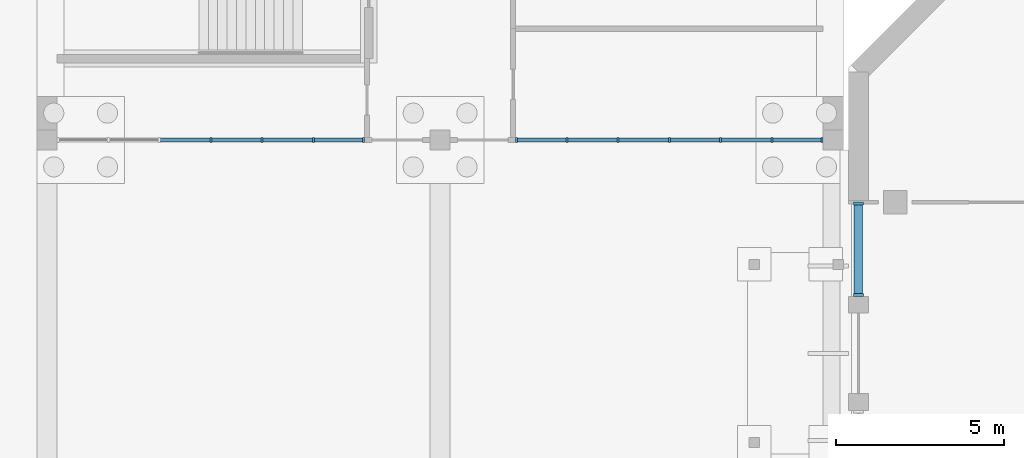
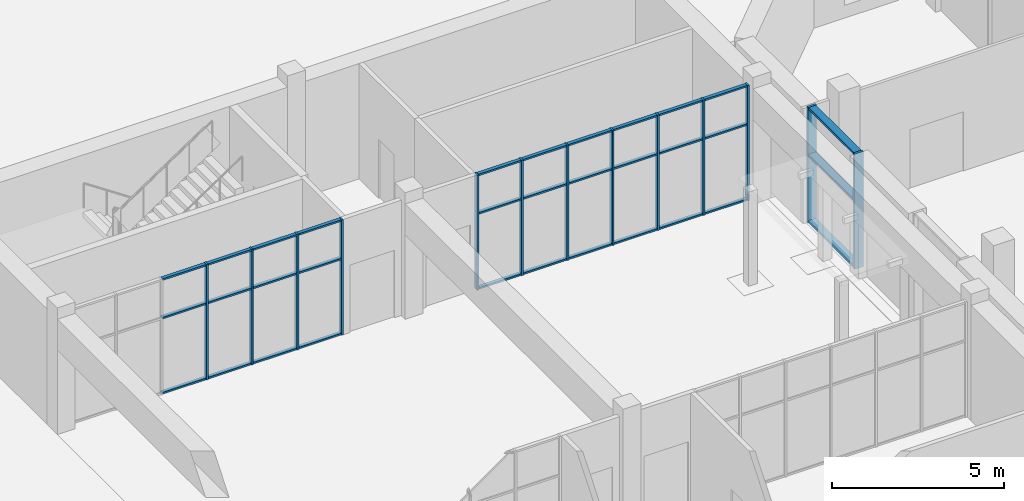
# One storey, part 12 of 42: 46 members, 3 elements without a shape of their own.
"""IFC4 building model written with IfcOpenShell, lengths in metres."""

from ifc_helpers import new_model, si_unit, direction, frame, origin, origin_2d, place, context, subcontext, project, spatial, rectangle, extrude, material, material_profile, profile_set, type_object, element, aggregate, save


model = new_model("IFC4")

# Units and contexts
model_context = context("Model", 3, precision=1e-05, world=origin(), true_north=direction((0.0, 1.0)))
body_context = subcontext(model_context, "Body", "Model", "MODEL_VIEW")
ifc_project = project(units=[si_unit("LENGTHUNIT", "METRE"), si_unit("AREAUNIT", "SQUARE_METRE"), si_unit("VOLUMEUNIT", "CUBIC_METRE"), si_unit("PLANEANGLEUNIT", "RADIAN"), si_unit("MASSUNIT", "GRAM", prefix="KILO")], contexts=[model_context])

# Site, building, storey
site_placement = place(None, origin())
site = spatial("IfcSite", under=ifc_project, at=site_placement, CompositionType="ELEMENT")
building_placement = place(site_placement, origin())
building = spatial("IfcBuilding", under=site, at=building_placement, Name="Dilmun Exchange Tower", CompositionType="ELEMENT")
storey_placement = place(building_placement, origin())
storey = spatial("IfcBuildingStorey", under=building, at=storey_placement, Name="L00", CompositionType="ELEMENT", Elevation=0.0)

# Curtain wall, members
ifc_material_1 = material(Name="Anodised aluminium and clear glass", Category="aluminium")
curtain_wall_type_1 = type_object("IfcCurtainWallType", Name="Concourse glazing", PredefinedType="NOTDEFINED", material=ifc_material_1)
curtain_wall_1_placement = place(storey_placement, origin())
curtain_wall_1 = element("IfcCurtainWall", 1, at=curtain_wall_1_placement, inside=storey, type_object=curtain_wall_type_1, Name="Concourse glazing run CG7.2", PredefinedType="NOTDEFINED")
ifc_material_2 = material(Name="Anodised aluminium", Category="aluminium")
ifc_material_profile_1 = material_profile(ifc_material_2, rectangle(XDim=0.300048828125, YDim=0.080078125, at=origin_2d()), Name="AL 80x300")
ifc_profile_set_1 = profile_set([ifc_material_profile_1], Name="Anodised aluminium")
member_type_1 = type_object("IfcMemberType", Name="Concourse glazing mullion 80 x 300", PredefinedType="MULLION", material=ifc_profile_set_1)
member_1_placement = place(storey_placement, frame((-35.699951171875, 26.9599609375, 0.0), z_axis=(0.0, 0.0, 1.0), x_axis=(1.0, 0.0, 0.0)))
member_1 = element("IfcMember", 2, at=member_1_placement, type_object=member_type_1, Name="CG7.2 mullion 1", PredefinedType="MULLION", context=body_context, shape_type="SweptSolid", body=[
    extrude(rectangle(XDim=0.300048828125, YDim=0.080078125, at=origin_2d()), origin(), (0.0, 0.0, 1.0), 4.10009765625),
])
member_2_placement = place(storey_placement, frame((-35.699951171875, 24.239990234375, 0.0), z_axis=(0.0, 0.0, 1.0), x_axis=(1.0, 0.0, 0.0)))
member_2 = element("IfcMember", 3, at=member_2_placement, type_object=member_type_1, Name="CG7.2 mullion 2", PredefinedType="MULLION", context=body_context, shape_type="SweptSolid", body=[
    extrude(rectangle(XDim=0.300048828125, YDim=0.080078125, at=origin_2d()), origin(), (0.0, 0.0, 1.0), 4.10009765625),
])
ifc_material_profile_2 = material_profile(ifc_material_2, rectangle(XDim=0.25, YDim=0.080078125, at=origin_2d()), Name="AL 80x250")
ifc_profile_set_2 = profile_set([ifc_material_profile_2], Name="Anodised aluminium")
member_type_2 = type_object("IfcMemberType", Name="Concourse glazing transom 80 x 250", PredefinedType="USERDEFINED", material=ifc_profile_set_2)
member_3_placement = place(storey_placement, frame((-35.699951171875, 26.919921875, 0.0400390625), z_axis=(0.0, -1.0, 0.0), x_axis=(1.0, 0.0, 0.0)))
member_3 = element("IfcMember", 4, at=member_3_placement, type_object=member_type_2, Name="CG7.2 transom 1.1", ObjectType="TRANSOM", PredefinedType="USERDEFINED", context=body_context, shape_type="SweptSolid", body=[
    extrude(rectangle(XDim=0.25, YDim=0.080078125, at=origin_2d()), origin(), (0.0, 0.0, 1.0), 2.639892578125),
])
member_4_placement = place(storey_placement, frame((-35.699951171875, 26.919921875, 2.39990234375), z_axis=(0.0, -1.0, 0.0), x_axis=(1.0, 0.0, 0.0)))
member_4 = element("IfcMember", 5, at=member_4_placement, type_object=member_type_2, Name="CG7.2 transom 1.2", ObjectType="TRANSOM", PredefinedType="USERDEFINED", context=body_context, shape_type="SweptSolid", body=[
    extrude(rectangle(XDim=0.25, YDim=0.080078125, at=origin_2d()), origin(), (0.0, 0.0, 1.0), 2.639892578125),
])
member_5_placement = place(storey_placement, frame((-35.699951171875, 26.919921875, 4.06005859375), z_axis=(0.0, -1.0, 0.0), x_axis=(1.0, 0.0, 0.0)))
member_5 = element("IfcMember", 6, at=member_5_placement, type_object=member_type_2, Name="CG7.2 transom 1.3", ObjectType="TRANSOM", PredefinedType="USERDEFINED", context=body_context, shape_type="SweptSolid", body=[
    extrude(rectangle(XDim=0.25, YDim=0.080078125, at=origin_2d()), origin(), (0.0, 0.0, 1.0), 2.639892578125),
])
aggregate(curtain_wall_1, [member_1, member_2, member_3, member_4, member_5])

ifc_material_3 = material(Name="Aluminium", Category="aluminium")
curtain_wall_type_2 = type_object("IfcCurtainWallType", Name="School arcade glazing", PredefinedType="NOTDEFINED", material=ifc_material_3)
curtain_wall_2_placement = place(storey_placement, origin())
curtain_wall_2 = element("IfcCurtainWall", 7, at=curtain_wall_2_placement, inside=storey, type_object=curtain_wall_type_2, Name="School arcade glazing", PredefinedType="NOTDEFINED")
ifc_material_profile_3 = material_profile(ifc_material_3, rectangle(XDim=0.159912109375, YDim=0.06005859375, at=origin_2d()), Name="60 x 160")
ifc_profile_set_3 = profile_set([ifc_material_profile_3], Name="Aluminium")
member_type_3 = type_object("IfcMemberType", Name="School arcade glazing mullion 60 x 160", PredefinedType="MULLION", material=ifc_profile_set_3)
member_6_placement = place(storey_placement, frame((-36.780029296875, 28.85009765625, 0.0), z_axis=(0.0, 0.0, 1.0), x_axis=(0.0, -1.0, 0.0)))
member_6 = element("IfcMember", 8, at=member_6_placement, type_object=member_type_3, Name="SCH-CW1 mullion 1", PredefinedType="MULLION", context=body_context, shape_type="SweptSolid", body=[
    extrude(rectangle(XDim=0.159912109375, YDim=0.06005859375, at=origin_2d()), origin(), (0.0, 0.0, 1.0), 4.10009765625),
])
member_7_placement = place(storey_placement, frame((-38.27490234375, 28.85009765625, 0.0), z_axis=(0.0, 0.0, 1.0), x_axis=(0.0, -1.0, 0.0)))
member_7 = element("IfcMember", 9, at=member_7_placement, type_object=member_type_3, Name="SCH-CW1 mullion 2", PredefinedType="MULLION", context=body_context, shape_type="SweptSolid", body=[
    extrude(rectangle(XDim=0.159912109375, YDim=0.06005859375, at=origin_2d()), origin(), (0.0, 0.0, 1.0), 4.10009765625),
])
member_8_placement = place(storey_placement, frame((-39.800048828125, 28.85009765625, 0.0), z_axis=(0.0, 0.0, 1.0), x_axis=(0.0, -1.0, 0.0)))
member_8 = element("IfcMember", 10, at=member_8_placement, type_object=member_type_3, Name="SCH-CW1 mullion 3", PredefinedType="MULLION", context=body_context, shape_type="SweptSolid", body=[
    extrude(rectangle(XDim=0.159912109375, YDim=0.06005859375, at=origin_2d()), origin(), (0.0, 0.0, 1.0), 4.10009765625),
])
member_9_placement = place(storey_placement, frame((-41.324951171875, 28.85009765625, 0.0), z_axis=(0.0, 0.0, 1.0), x_axis=(0.0, -1.0, 0.0)))
member_9 = element("IfcMember", 11, at=member_9_placement, type_object=member_type_3, Name="SCH-CW1 mullion 4", PredefinedType="MULLION", context=body_context, shape_type="SweptSolid", body=[
    extrude(rectangle(XDim=0.159912109375, YDim=0.06005859375, at=origin_2d()), origin(), (0.0, 0.0, 1.0), 4.10009765625),
])
member_10_placement = place(storey_placement, frame((-42.85009765625, 28.85009765625, 0.0), z_axis=(0.0, 0.0, 1.0), x_axis=(0.0, -1.0, 0.0)))
member_10 = element("IfcMember", 12, at=member_10_placement, type_object=member_type_3, Name="SCH-CW1 mullion 5", PredefinedType="MULLION", context=body_context, shape_type="SweptSolid", body=[
    extrude(rectangle(XDim=0.159912109375, YDim=0.06005859375, at=origin_2d()), origin(), (0.0, 0.0, 1.0), 4.10009765625),
])
member_11_placement = place(storey_placement, frame((-44.375, 28.85009765625, 0.0), z_axis=(0.0, 0.0, 1.0), x_axis=(0.0, -1.0, 0.0)))
member_11 = element("IfcMember", 13, at=member_11_placement, type_object=member_type_3, Name="SCH-CW1 mullion 6", PredefinedType="MULLION", context=body_context, shape_type="SweptSolid", body=[
    extrude(rectangle(XDim=0.159912109375, YDim=0.06005859375, at=origin_2d()), origin(), (0.0, 0.0, 1.0), 4.10009765625),
])
member_12_placement = place(storey_placement, frame((-45.8701171875, 28.85009765625, 0.0), z_axis=(0.0, 0.0, 1.0), x_axis=(0.0, -1.0, 0.0)))
member_12 = element("IfcMember", 14, at=member_12_placement, type_object=member_type_3, Name="SCH-CW1 mullion 7", PredefinedType="MULLION", context=body_context, shape_type="SweptSolid", body=[
    extrude(rectangle(XDim=0.159912109375, YDim=0.06005859375, at=origin_2d()), origin(), (0.0, 0.0, 1.0), 4.10009765625),
])

curtain_wall_3_placement = place(storey_placement, origin())
curtain_wall_3 = element("IfcCurtainWall", 15, at=curtain_wall_3_placement, inside=storey, type_object=curtain_wall_type_2, Name="School arcade glazing", PredefinedType="NOTDEFINED")
member_13_placement = place(storey_placement, frame((-50.429931640625, 28.85009765625, 0.0), z_axis=(0.0, 0.0, 1.0), x_axis=(0.0, -1.0, 0.0)))
member_13 = element("IfcMember", 16, at=member_13_placement, type_object=member_type_3, Name="SCH-CW1 mullion 1", PredefinedType="MULLION", context=body_context, shape_type="SweptSolid", body=[
    extrude(rectangle(XDim=0.159912109375, YDim=0.06005859375, at=origin_2d()), origin(), (0.0, 0.0, 1.0), 4.10009765625),
])
member_14_placement = place(storey_placement, frame((-51.925048828125, 28.85009765625, 0.0), z_axis=(0.0, 0.0, 1.0), x_axis=(0.0, -1.0, 0.0)))
member_14 = element("IfcMember", 17, at=member_14_placement, type_object=member_type_3, Name="SCH-CW1 mullion 2", PredefinedType="MULLION", context=body_context, shape_type="SweptSolid", body=[
    extrude(rectangle(XDim=0.159912109375, YDim=0.06005859375, at=origin_2d()), origin(), (0.0, 0.0, 1.0), 4.10009765625),
])
member_15_placement = place(storey_placement, frame((-53.449951171875, 28.85009765625, 0.0), z_axis=(0.0, 0.0, 1.0), x_axis=(0.0, -1.0, 0.0)))
member_15 = element("IfcMember", 18, at=member_15_placement, type_object=member_type_3, Name="SCH-CW1 mullion 3", PredefinedType="MULLION", context=body_context, shape_type="SweptSolid", body=[
    extrude(rectangle(XDim=0.159912109375, YDim=0.06005859375, at=origin_2d()), origin(), (0.0, 0.0, 1.0), 4.10009765625),
])
member_16_placement = place(storey_placement, frame((-54.97509765625, 28.85009765625, 0.0), z_axis=(0.0, 0.0, 1.0), x_axis=(0.0, -1.0, 0.0)))
member_16 = element("IfcMember", 19, at=member_16_placement, type_object=member_type_3, Name="SCH-CW1 mullion 4", PredefinedType="MULLION", context=body_context, shape_type="SweptSolid", body=[
    extrude(rectangle(XDim=0.159912109375, YDim=0.06005859375, at=origin_2d()), origin(), (0.0, 0.0, 1.0), 4.10009765625),
])

# Member
ifc_material_profile_4 = material_profile(ifc_material_3, rectangle(XDim=0.1201171875, YDim=0.06005859375, at=origin_2d()), Name="60 x 120")
ifc_profile_set_4 = profile_set([ifc_material_profile_4], Name="Aluminium")
member_type_4 = type_object("IfcMemberType", Name="School arcade glazing transom 60 x 120", PredefinedType="USERDEFINED", material=ifc_profile_set_4)
member_17_placement = place(storey_placement, frame((-36.81005859375, 28.85009765625, 0.030029296875), z_axis=(-1.0, 0.0, 0.0), x_axis=(0.0, -1.0, 0.0)))
member_17 = element("IfcMember", 20, at=member_17_placement, type_object=member_type_4, Name="SCH-CW1 transom 1.1", ObjectType="TRANSOM", PredefinedType="USERDEFINED", context=body_context, shape_type="SweptSolid", body=[
    extrude(rectangle(XDim=0.1201171875, YDim=0.06005859375, at=origin_2d()), origin(), (0.0, 0.0, 1.0), 1.43505859375),
])

member_18_placement = place(storey_placement, frame((-36.81005859375, 28.85009765625, 2.699951171875), z_axis=(-1.0, 0.0, 0.0), x_axis=(0.0, -1.0, 0.0)))
member_18 = element("IfcMember", 21, at=member_18_placement, type_object=member_type_4, Name="SCH-CW1 transom 1.2", ObjectType="TRANSOM", PredefinedType="USERDEFINED", context=body_context, shape_type="SweptSolid", body=[
    extrude(rectangle(XDim=0.1201171875, YDim=0.06005859375, at=origin_2d()), origin(), (0.0, 0.0, 1.0), 1.43505859375),
])

member_19_placement = place(storey_placement, frame((-36.81005859375, 28.85009765625, 4.070068359375), z_axis=(-1.0, 0.0, 0.0), x_axis=(0.0, -1.0, 0.0)))
member_19 = element("IfcMember", 22, at=member_19_placement, type_object=member_type_4, Name="SCH-CW1 transom 1.3", ObjectType="TRANSOM", PredefinedType="USERDEFINED", context=body_context, shape_type="SweptSolid", body=[
    extrude(rectangle(XDim=0.1201171875, YDim=0.06005859375, at=origin_2d()), origin(), (0.0, 0.0, 1.0), 1.43505859375),
])

member_20_placement = place(storey_placement, frame((-38.304931640625, 28.85009765625, 0.030029296875), z_axis=(-1.0, 0.0, 0.0), x_axis=(0.0, -1.0, 0.0)))
member_20 = element("IfcMember", 23, at=member_20_placement, type_object=member_type_4, Name="SCH-CW1 transom 2.1", ObjectType="TRANSOM", PredefinedType="USERDEFINED", context=body_context, shape_type="SweptSolid", body=[
    extrude(rectangle(XDim=0.1201171875, YDim=0.06005859375, at=origin_2d()), origin(), (0.0, 0.0, 1.0), 1.465087890625),
])

member_21_placement = place(storey_placement, frame((-38.304931640625, 28.85009765625, 2.699951171875), z_axis=(-1.0, 0.0, 0.0), x_axis=(0.0, -1.0, 0.0)))
member_21 = element("IfcMember", 24, at=member_21_placement, type_object=member_type_4, Name="SCH-CW1 transom 2.2", ObjectType="TRANSOM", PredefinedType="USERDEFINED", context=body_context, shape_type="SweptSolid", body=[
    extrude(rectangle(XDim=0.1201171875, YDim=0.06005859375, at=origin_2d()), origin(), (0.0, 0.0, 1.0), 1.465087890625),
])

member_22_placement = place(storey_placement, frame((-38.304931640625, 28.85009765625, 4.070068359375), z_axis=(-1.0, 0.0, 0.0), x_axis=(0.0, -1.0, 0.0)))
member_22 = element("IfcMember", 25, at=member_22_placement, type_object=member_type_4, Name="SCH-CW1 transom 2.3", ObjectType="TRANSOM", PredefinedType="USERDEFINED", context=body_context, shape_type="SweptSolid", body=[
    extrude(rectangle(XDim=0.1201171875, YDim=0.06005859375, at=origin_2d()), origin(), (0.0, 0.0, 1.0), 1.465087890625),
])

member_23_placement = place(storey_placement, frame((-39.830078125, 28.85009765625, 0.030029296875), z_axis=(-1.0, 0.0, 0.0), x_axis=(0.0, -1.0, 0.0)))
member_23 = element("IfcMember", 26, at=member_23_placement, type_object=member_type_4, Name="SCH-CW1 transom 3.1", ObjectType="TRANSOM", PredefinedType="USERDEFINED", context=body_context, shape_type="SweptSolid", body=[
    extrude(rectangle(XDim=0.1201171875, YDim=0.06005859375, at=origin_2d()), origin(), (0.0, 0.0, 1.0), 1.46484375),
])

member_24_placement = place(storey_placement, frame((-39.830078125, 28.85009765625, 2.699951171875), z_axis=(-1.0, 0.0, 0.0), x_axis=(0.0, -1.0, 0.0)))
member_24 = element("IfcMember", 27, at=member_24_placement, type_object=member_type_4, Name="SCH-CW1 transom 3.2", ObjectType="TRANSOM", PredefinedType="USERDEFINED", context=body_context, shape_type="SweptSolid", body=[
    extrude(rectangle(XDim=0.1201171875, YDim=0.06005859375, at=origin_2d()), origin(), (0.0, 0.0, 1.0), 1.46484375),
])

member_25_placement = place(storey_placement, frame((-39.830078125, 28.85009765625, 4.070068359375), z_axis=(-1.0, 0.0, 0.0), x_axis=(0.0, -1.0, 0.0)))
member_25 = element("IfcMember", 28, at=member_25_placement, type_object=member_type_4, Name="SCH-CW1 transom 3.3", ObjectType="TRANSOM", PredefinedType="USERDEFINED", context=body_context, shape_type="SweptSolid", body=[
    extrude(rectangle(XDim=0.1201171875, YDim=0.06005859375, at=origin_2d()), origin(), (0.0, 0.0, 1.0), 1.46484375),
])

member_26_placement = place(storey_placement, frame((-41.35498046875, 28.85009765625, 0.030029296875), z_axis=(-1.0, 0.0, 0.0), x_axis=(0.0, -1.0, 0.0)))
member_26 = element("IfcMember", 29, at=member_26_placement, type_object=member_type_4, Name="SCH-CW1 transom 4.1", ObjectType="TRANSOM", PredefinedType="USERDEFINED", context=body_context, shape_type="SweptSolid", body=[
    extrude(rectangle(XDim=0.1201171875, YDim=0.06005859375, at=origin_2d()), origin(), (0.0, 0.0, 1.0), 1.465087890625),
])

member_27_placement = place(storey_placement, frame((-41.35498046875, 28.85009765625, 2.699951171875), z_axis=(-1.0, 0.0, 0.0), x_axis=(0.0, -1.0, 0.0)))
member_27 = element("IfcMember", 30, at=member_27_placement, type_object=member_type_4, Name="SCH-CW1 transom 4.2", ObjectType="TRANSOM", PredefinedType="USERDEFINED", context=body_context, shape_type="SweptSolid", body=[
    extrude(rectangle(XDim=0.1201171875, YDim=0.06005859375, at=origin_2d()), origin(), (0.0, 0.0, 1.0), 1.465087890625),
])

member_28_placement = place(storey_placement, frame((-41.35498046875, 28.85009765625, 4.070068359375), z_axis=(-1.0, 0.0, 0.0), x_axis=(0.0, -1.0, 0.0)))
member_28 = element("IfcMember", 31, at=member_28_placement, type_object=member_type_4, Name="SCH-CW1 transom 4.3", ObjectType="TRANSOM", PredefinedType="USERDEFINED", context=body_context, shape_type="SweptSolid", body=[
    extrude(rectangle(XDim=0.1201171875, YDim=0.06005859375, at=origin_2d()), origin(), (0.0, 0.0, 1.0), 1.465087890625),
])

member_29_placement = place(storey_placement, frame((-42.8798828125, 28.85009765625, 0.030029296875), z_axis=(-1.0, 0.0, 0.0), x_axis=(0.0, -1.0, 0.0)))
member_29 = element("IfcMember", 32, at=member_29_placement, type_object=member_type_4, Name="SCH-CW1 transom 5.1", ObjectType="TRANSOM", PredefinedType="USERDEFINED", context=body_context, shape_type="SweptSolid", body=[
    extrude(rectangle(XDim=0.1201171875, YDim=0.06005859375, at=origin_2d()), origin(), (0.0, 0.0, 1.0), 1.465087890625),
])

member_30_placement = place(storey_placement, frame((-42.8798828125, 28.85009765625, 2.699951171875), z_axis=(-1.0, 0.0, 0.0), x_axis=(0.0, -1.0, 0.0)))
member_30 = element("IfcMember", 33, at=member_30_placement, type_object=member_type_4, Name="SCH-CW1 transom 5.2", ObjectType="TRANSOM", PredefinedType="USERDEFINED", context=body_context, shape_type="SweptSolid", body=[
    extrude(rectangle(XDim=0.1201171875, YDim=0.06005859375, at=origin_2d()), origin(), (0.0, 0.0, 1.0), 1.465087890625),
])

member_31_placement = place(storey_placement, frame((-42.8798828125, 28.85009765625, 4.070068359375), z_axis=(-1.0, 0.0, 0.0), x_axis=(0.0, -1.0, 0.0)))
member_31 = element("IfcMember", 34, at=member_31_placement, type_object=member_type_4, Name="SCH-CW1 transom 5.3", ObjectType="TRANSOM", PredefinedType="USERDEFINED", context=body_context, shape_type="SweptSolid", body=[
    extrude(rectangle(XDim=0.1201171875, YDim=0.06005859375, at=origin_2d()), origin(), (0.0, 0.0, 1.0), 1.465087890625),
])

member_32_placement = place(storey_placement, frame((-44.405029296875, 28.85009765625, 0.030029296875), z_axis=(-1.0, 0.0, 0.0), x_axis=(0.0, -1.0, 0.0)))
member_32 = element("IfcMember", 35, at=member_32_placement, type_object=member_type_4, Name="SCH-CW1 transom 6.1", ObjectType="TRANSOM", PredefinedType="USERDEFINED", context=body_context, shape_type="SweptSolid", body=[
    extrude(rectangle(XDim=0.1201171875, YDim=0.06005859375, at=origin_2d()), origin(), (0.0, 0.0, 1.0), 1.43505859375),
])

member_33_placement = place(storey_placement, frame((-44.405029296875, 28.85009765625, 2.699951171875), z_axis=(-1.0, 0.0, 0.0), x_axis=(0.0, -1.0, 0.0)))
member_33 = element("IfcMember", 36, at=member_33_placement, type_object=member_type_4, Name="SCH-CW1 transom 6.2", ObjectType="TRANSOM", PredefinedType="USERDEFINED", context=body_context, shape_type="SweptSolid", body=[
    extrude(rectangle(XDim=0.1201171875, YDim=0.06005859375, at=origin_2d()), origin(), (0.0, 0.0, 1.0), 1.43505859375),
])

member_34_placement = place(storey_placement, frame((-44.405029296875, 28.85009765625, 4.070068359375), z_axis=(-1.0, 0.0, 0.0), x_axis=(0.0, -1.0, 0.0)))
member_34 = element("IfcMember", 37, at=member_34_placement, type_object=member_type_4, Name="SCH-CW1 transom 6.3", ObjectType="TRANSOM", PredefinedType="USERDEFINED", context=body_context, shape_type="SweptSolid", body=[
    extrude(rectangle(XDim=0.1201171875, YDim=0.06005859375, at=origin_2d()), origin(), (0.0, 0.0, 1.0), 1.43505859375),
])

aggregate(curtain_wall_2, [member_6, member_7, member_8, member_9, member_10, member_11, member_12, member_17, member_18, member_19, member_20, member_21, member_22, member_23, member_24, member_25, member_26, member_27, member_28, member_29, member_30, member_31, member_32, member_33, member_34])

member_35_placement = place(storey_placement, frame((-50.4599609375, 28.85009765625, 0.030029296875), z_axis=(-1.0, 0.0, 0.0), x_axis=(0.0, -1.0, 0.0)))
member_35 = element("IfcMember", 38, at=member_35_placement, type_object=member_type_4, Name="SCH-CW1 transom 1.1", ObjectType="TRANSOM", PredefinedType="USERDEFINED", context=body_context, shape_type="SweptSolid", body=[
    extrude(rectangle(XDim=0.1201171875, YDim=0.06005859375, at=origin_2d()), origin(), (0.0, 0.0, 1.0), 1.43505859375),
])

member_36_placement = place(storey_placement, frame((-50.4599609375, 28.85009765625, 2.699951171875), z_axis=(-1.0, 0.0, 0.0), x_axis=(0.0, -1.0, 0.0)))
member_36 = element("IfcMember", 39, at=member_36_placement, type_object=member_type_4, Name="SCH-CW1 transom 1.2", ObjectType="TRANSOM", PredefinedType="USERDEFINED", context=body_context, shape_type="SweptSolid", body=[
    extrude(rectangle(XDim=0.1201171875, YDim=0.06005859375, at=origin_2d()), origin(), (0.0, 0.0, 1.0), 1.43505859375),
])

member_37_placement = place(storey_placement, frame((-50.4599609375, 28.85009765625, 4.070068359375), z_axis=(-1.0, 0.0, 0.0), x_axis=(0.0, -1.0, 0.0)))
member_37 = element("IfcMember", 40, at=member_37_placement, type_object=member_type_4, Name="SCH-CW1 transom 1.3", ObjectType="TRANSOM", PredefinedType="USERDEFINED", context=body_context, shape_type="SweptSolid", body=[
    extrude(rectangle(XDim=0.1201171875, YDim=0.06005859375, at=origin_2d()), origin(), (0.0, 0.0, 1.0), 1.43505859375),
])

member_38_placement = place(storey_placement, frame((-51.955078125, 28.85009765625, 0.030029296875), z_axis=(-1.0, 0.0, 0.0), x_axis=(0.0, -1.0, 0.0)))
member_38 = element("IfcMember", 41, at=member_38_placement, type_object=member_type_4, Name="SCH-CW1 transom 2.1", ObjectType="TRANSOM", PredefinedType="USERDEFINED", context=body_context, shape_type="SweptSolid", body=[
    extrude(rectangle(XDim=0.1201171875, YDim=0.06005859375, at=origin_2d()), origin(), (0.0, 0.0, 1.0), 1.46484375),
])

member_39_placement = place(storey_placement, frame((-51.955078125, 28.85009765625, 2.699951171875), z_axis=(-1.0, 0.0, 0.0), x_axis=(0.0, -1.0, 0.0)))
member_39 = element("IfcMember", 42, at=member_39_placement, type_object=member_type_4, Name="SCH-CW1 transom 2.2", ObjectType="TRANSOM", PredefinedType="USERDEFINED", context=body_context, shape_type="SweptSolid", body=[
    extrude(rectangle(XDim=0.1201171875, YDim=0.06005859375, at=origin_2d()), origin(), (0.0, 0.0, 1.0), 1.46484375),
])

member_40_placement = place(storey_placement, frame((-51.955078125, 28.85009765625, 4.070068359375), z_axis=(-1.0, 0.0, 0.0), x_axis=(0.0, -1.0, 0.0)))
member_40 = element("IfcMember", 43, at=member_40_placement, type_object=member_type_4, Name="SCH-CW1 transom 2.3", ObjectType="TRANSOM", PredefinedType="USERDEFINED", context=body_context, shape_type="SweptSolid", body=[
    extrude(rectangle(XDim=0.1201171875, YDim=0.06005859375, at=origin_2d()), origin(), (0.0, 0.0, 1.0), 1.46484375),
])

member_41_placement = place(storey_placement, frame((-53.47998046875, 28.85009765625, 0.030029296875), z_axis=(-1.0, 0.0, 0.0), x_axis=(0.0, -1.0, 0.0)))
member_41 = element("IfcMember", 44, at=member_41_placement, type_object=member_type_4, Name="SCH-CW1 transom 3.1", ObjectType="TRANSOM", PredefinedType="USERDEFINED", context=body_context, shape_type="SweptSolid", body=[
    extrude(rectangle(XDim=0.1201171875, YDim=0.06005859375, at=origin_2d()), origin(), (0.0, 0.0, 1.0), 1.465087890625),
])

member_42_placement = place(storey_placement, frame((-53.47998046875, 28.85009765625, 2.699951171875), z_axis=(-1.0, 0.0, 0.0), x_axis=(0.0, -1.0, 0.0)))
member_42 = element("IfcMember", 45, at=member_42_placement, type_object=member_type_4, Name="SCH-CW1 transom 3.2", ObjectType="TRANSOM", PredefinedType="USERDEFINED", context=body_context, shape_type="SweptSolid", body=[
    extrude(rectangle(XDim=0.1201171875, YDim=0.06005859375, at=origin_2d()), origin(), (0.0, 0.0, 1.0), 1.465087890625),
])

member_43_placement = place(storey_placement, frame((-53.47998046875, 28.85009765625, 4.070068359375), z_axis=(-1.0, 0.0, 0.0), x_axis=(0.0, -1.0, 0.0)))
member_43 = element("IfcMember", 46, at=member_43_placement, type_object=member_type_4, Name="SCH-CW1 transom 3.3", ObjectType="TRANSOM", PredefinedType="USERDEFINED", context=body_context, shape_type="SweptSolid", body=[
    extrude(rectangle(XDim=0.1201171875, YDim=0.06005859375, at=origin_2d()), origin(), (0.0, 0.0, 1.0), 1.465087890625),
])

member_44_placement = place(storey_placement, frame((-55.0048828125, 28.85009765625, 0.030029296875), z_axis=(-1.0, 0.0, 0.0), x_axis=(0.0, -1.0, 0.0)))
member_44 = element("IfcMember", 47, at=member_44_placement, type_object=member_type_4, Name="SCH-CW1 transom 4.1", ObjectType="TRANSOM", PredefinedType="USERDEFINED", context=body_context, shape_type="SweptSolid", body=[
    extrude(rectangle(XDim=0.1201171875, YDim=0.06005859375, at=origin_2d()), origin(), (0.0, 0.0, 1.0), 1.465087890625),
])

member_45_placement = place(storey_placement, frame((-55.0048828125, 28.85009765625, 2.699951171875), z_axis=(-1.0, 0.0, 0.0), x_axis=(0.0, -1.0, 0.0)))
member_45 = element("IfcMember", 48, at=member_45_placement, type_object=member_type_4, Name="SCH-CW1 transom 4.2", ObjectType="TRANSOM", PredefinedType="USERDEFINED", context=body_context, shape_type="SweptSolid", body=[
    extrude(rectangle(XDim=0.1201171875, YDim=0.06005859375, at=origin_2d()), origin(), (0.0, 0.0, 1.0), 1.465087890625),
])

member_46_placement = place(storey_placement, frame((-55.0048828125, 28.85009765625, 4.070068359375), z_axis=(-1.0, 0.0, 0.0), x_axis=(0.0, -1.0, 0.0)))
member_46 = element("IfcMember", 49, at=member_46_placement, type_object=member_type_4, Name="SCH-CW1 transom 4.3", ObjectType="TRANSOM", PredefinedType="USERDEFINED", context=body_context, shape_type="SweptSolid", body=[
    extrude(rectangle(XDim=0.1201171875, YDim=0.06005859375, at=origin_2d()), origin(), (0.0, 0.0, 1.0), 1.465087890625),
])

aggregate(curtain_wall_3, [member_13, member_14, member_15, member_16, member_35, member_36, member_37, member_38, member_39, member_40, member_41, member_42, member_43, member_44, member_45, member_46])

save(model, "model.ifc")
